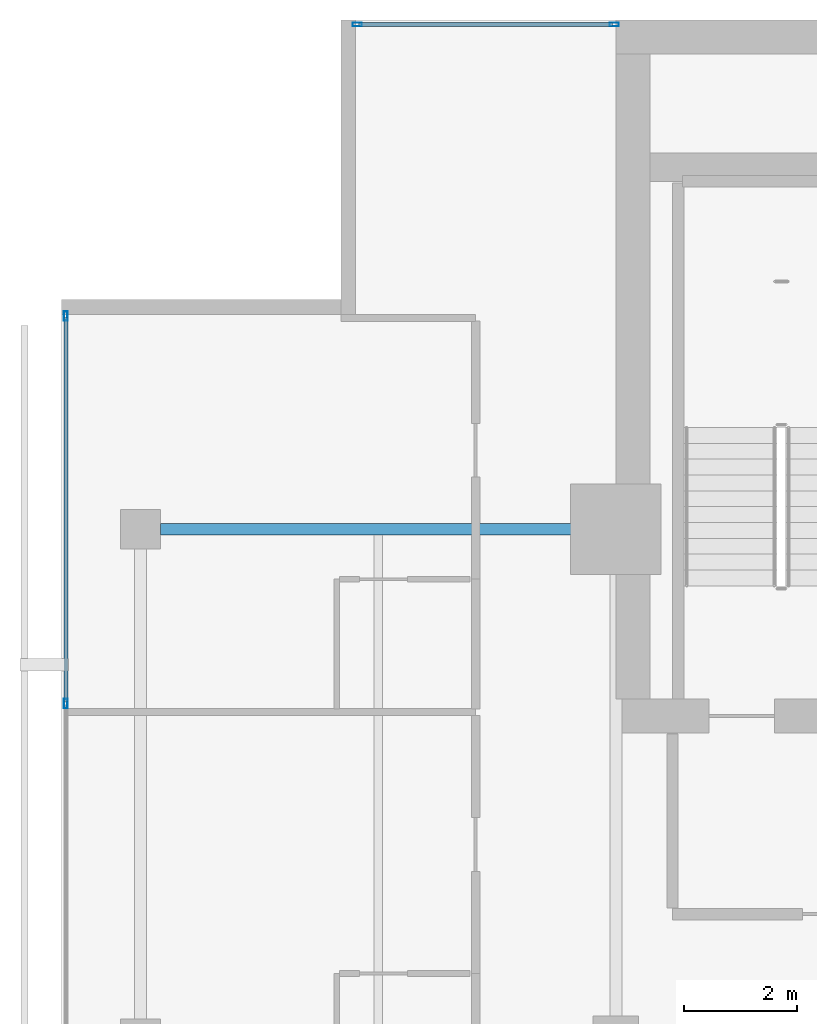
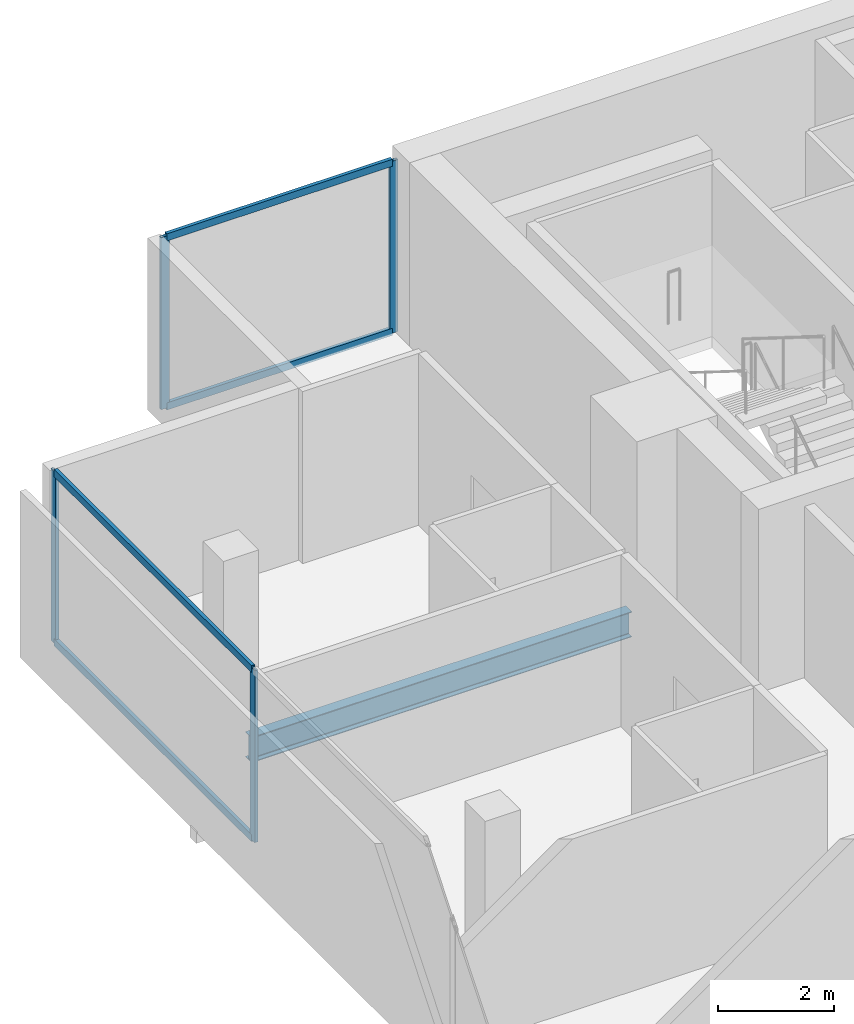
# One storey, part 16 of 25: 8 members, 1 beam, 2 elements without a shape of their own.
"""IFC4 building model written with IfcOpenShell, lengths in metres."""

from ifc_helpers import new_model, si_unit, direction, frame, origin, origin_2d, place, context, subcontext, project, spatial, hollow_rectangle, i_section, extrude, material, layer, layer_set, material_profile, profile_set, type_object, element, aggregate, save


model = new_model("IFC4")

# Units and contexts
model_context = context("Model", 3, precision=1e-05, world=origin(), true_north=direction((0.0, 1.0)))
body_context = subcontext(model_context, "Body", "Model", "MODEL_VIEW")
ifc_project = project(units=[si_unit("LENGTHUNIT", "METRE"), si_unit("AREAUNIT", "SQUARE_METRE"), si_unit("VOLUMEUNIT", "CUBIC_METRE"), si_unit("PLANEANGLEUNIT", "RADIAN"), si_unit("MASSUNIT", "GRAM", prefix="KILO")], contexts=[model_context])

# Site, building, storey
site_placement = place(None, origin())
site = spatial("IfcSite", under=ifc_project, at=site_placement, CompositionType="ELEMENT")
building_placement = place(site_placement, origin())
building = spatial("IfcBuilding", under=site, at=building_placement, Name="Maruvema Waterfront Hotel and Observation Tower", CompositionType="ELEMENT")
storey_placement = place(building_placement, frame((0.0, 0.0, 262.5)))
storey = spatial("IfcBuildingStorey", under=building, at=storey_placement, Name="L64", CompositionType="ELEMENT", Elevation=262.5)

# Curtain wall, members
ifc_material_1 = material(Name="Anodised bronze aluminium and solar-control low-E IGU", Category="aluminium")
ifc_layer = layer(ifc_material_1, 0.159912109375, Name="Zone 3 Champagne Inner Thermal Curtain Wall System CW-04")
ifc_layer_set = layer_set([ifc_layer], Name="Anodised bronze aluminium and solar-control low-E IGU")
curtain_wall_type = type_object("IfcCurtainWallType", Name="Zone 3 Champagne Inner Thermal Curtain Wall System CW-04", PredefinedType="USERDEFINED", material=ifc_layer_set)
curtain_wall_1_placement = place(storey_placement, origin())
curtain_wall_1 = element("IfcCurtainWall", 1, at=curtain_wall_1_placement, inside=storey, type_object=curtain_wall_type, Name="L64 Curtain Wall CW-L64-W", ObjectType="UNITISED CURTAIN WALL", PredefinedType="USERDEFINED")
ifc_material_2 = material(Name="Anodised architectural bronze aluminium", Category="aluminium")
ifc_material_profile_1 = material_profile(ifc_material_2, hollow_rectangle(XDim=0.070068359375, YDim=0.14990234375, WallThickness=0.00390625, at=origin_2d()), Name="ALU-T70x150")
ifc_profile_set_1 = profile_set([ifc_material_profile_1], Name="Anodised architectural bronze aluminium")
member_type_1 = type_object("IfcMemberType", Name="Curtain Wall Horizontal Transom ALU-T70x150", PredefinedType="USERDEFINED", material=ifc_profile_set_1)
member_1_placement = place(storey_placement, frame((15.47998046875, 48.739990234375, 0.030029296875), z_axis=(0.0, -1.0, 0.0), x_axis=(1.0, 0.0, 0.0)))
member_1 = element("IfcMember", 2, at=member_1_placement, type_object=member_type_1, Name="CW-04 transom 1.1", ObjectType="TRANSOM", PredefinedType="USERDEFINED", context=body_context, shape_type="SweptSolid", body=[
    extrude(hollow_rectangle(XDim=0.070068359375, YDim=0.14990234375, WallThickness=0.00390625, at=origin_2d()), origin(), (0.0, 0.0, 1.0), 6.7900390625),
])
member_2_placement = place(storey_placement, frame((15.47998046875, 48.739990234375, 3.580078125), z_axis=(0.0, -1.0, 0.0), x_axis=(1.0, 0.0, 0.0)))
member_2 = element("IfcMember", 3, at=member_2_placement, type_object=member_type_1, Name="CW-04 transom 1.2", ObjectType="TRANSOM", PredefinedType="USERDEFINED", context=body_context, shape_type="SweptSolid", body=[
    extrude(hollow_rectangle(XDim=0.070068359375, YDim=0.14990234375, WallThickness=0.00390625, at=origin_2d()), origin(), (0.0, 0.0, 1.0), 6.7900390625),
])

curtain_wall_2_placement = place(storey_placement, origin())
curtain_wall_2 = element("IfcCurtainWall", 4, at=curtain_wall_2_placement, inside=storey, type_object=curtain_wall_type, Name="L64 Curtain Wall CW-L64-NW", ObjectType="UNITISED CURTAIN WALL", PredefinedType="USERDEFINED")
member_3_placement = place(storey_placement, frame((25.139892578125, 53.919921875, 0.030029296875), z_axis=(-1.0, 0.0, 0.0), x_axis=(0.0, -1.0, 0.0)))
member_3 = element("IfcMember", 5, at=member_3_placement, type_object=member_type_1, Name="CW-04 transom 1.1", ObjectType="TRANSOM", PredefinedType="USERDEFINED", context=body_context, shape_type="SweptSolid", body=[
    extrude(hollow_rectangle(XDim=0.070068359375, YDim=0.14990234375, WallThickness=0.00390625, at=origin_2d()), origin(), (0.0, 0.0, 1.0), 4.47998046875),
])
member_4_placement = place(storey_placement, frame((25.139892578125, 53.919921875, 3.580078125), z_axis=(-1.0, 0.0, 0.0), x_axis=(0.0, -1.0, 0.0)))
member_4 = element("IfcMember", 6, at=member_4_placement, type_object=member_type_1, Name="CW-04 transom 1.2", ObjectType="TRANSOM", PredefinedType="USERDEFINED", context=body_context, shape_type="SweptSolid", body=[
    extrude(hollow_rectangle(XDim=0.070068359375, YDim=0.14990234375, WallThickness=0.00390625, at=origin_2d()), origin(), (0.0, 0.0, 1.0), 4.47998046875),
])

# Member
ifc_material_3 = material(Name="Anodised architectural bronze aluminium", Category="aluminium")
ifc_material_profile_2 = material_profile(ifc_material_3, hollow_rectangle(XDim=0.06494140625, YDim=0.1650390625, WallThickness=0.00390625, at=origin_2d()), Name="ALU-M65x165")
ifc_profile_set_2 = profile_set([ifc_material_profile_2], Name="Anodised architectural bronze aluminium")
member_type_2 = type_object("IfcMemberType", Name="Curtain Wall Primary Mullion ALU-M65x165", PredefinedType="MULLION", material=ifc_profile_set_2)
member_5_placement = place(storey_placement, frame((15.47998046875, 48.77001953125, 0.0), z_axis=(0.0, 0.0, 1.0), x_axis=(1.0, 0.0, 0.0)))
member_5 = element("IfcMember", 7, at=member_5_placement, type_object=member_type_2, Name="CW-04 mullion 1", PredefinedType="MULLION", context=body_context, shape_type="SweptSolid", body=[
    extrude(hollow_rectangle(XDim=0.06494140625, YDim=0.1650390625, WallThickness=0.00390625, at=origin_2d()), origin(), (0.0, 0.0, 1.0), 3.610107421875),
])

member_6_placement = place(storey_placement, frame((15.47998046875, 41.919921875, 0.0), z_axis=(0.0, 0.0, 1.0), x_axis=(1.0, 0.0, 0.0)))
member_6 = element("IfcMember", 8, at=member_6_placement, type_object=member_type_2, Name="CW-04 mullion 2", PredefinedType="MULLION", context=body_context, shape_type="SweptSolid", body=[
    extrude(hollow_rectangle(XDim=0.06494140625, YDim=0.1650390625, WallThickness=0.00390625, at=origin_2d()), origin(), (0.0, 0.0, 1.0), 3.610107421875),
])

aggregate(curtain_wall_1, [member_5, member_6, member_1, member_2])

member_7_placement = place(storey_placement, frame((25.169921875, 53.919921875, 0.0), z_axis=(0.0, 0.0, 1.0), x_axis=(0.0, -1.0, 0.0)))
member_7 = element("IfcMember", 9, at=member_7_placement, type_object=member_type_2, Name="CW-04 mullion 1", PredefinedType="MULLION", context=body_context, shape_type="SweptSolid", body=[
    extrude(hollow_rectangle(XDim=0.06494140625, YDim=0.1650390625, WallThickness=0.00390625, at=origin_2d()), origin(), (0.0, 0.0, 1.0), 3.610107421875),
])

member_8_placement = place(storey_placement, frame((20.6298828125, 53.919921875, 0.0), z_axis=(0.0, 0.0, 1.0), x_axis=(0.0, -1.0, 0.0)))
member_8 = element("IfcMember", 10, at=member_8_placement, type_object=member_type_2, Name="CW-04 mullion 2", PredefinedType="MULLION", context=body_context, shape_type="SweptSolid", body=[
    extrude(hollow_rectangle(XDim=0.06494140625, YDim=0.1650390625, WallThickness=0.00390625, at=origin_2d()), origin(), (0.0, 0.0, 1.0), 3.610107421875),
])

aggregate(curtain_wall_2, [member_7, member_8, member_3, member_4])

# Beam
ifc_material_4 = material(Name="Steel ASTM A572 Grade 50", Category="steel")
ifc_material_profile_3 = material_profile(ifc_material_4, i_section(OverallWidth=0.208984375, OverallDepth=0.532958984375, WebThickness=0.01025390625, FlangeThickness=0.015625, FilletRadius=0.014892578125, at=origin_2d()), Name="W530x92.0")
ifc_profile_set_3 = profile_set([ifc_material_profile_3], Name="Steel ASTM A572 Grade 50")
beam_type = type_object("IfcBeamType", Name="Primary Floor Girder W530x92.0", PredefinedType="BEAM", material=ifc_profile_set_3)
beam_placement = place(storey_placement, frame((17.14990234375, 45.0, -0.506591796875), z_axis=(1.0, 0.0, 0.0), x_axis=(0.0, 1.0, 0.0)))
element("IfcBeam", 11, at=beam_placement, inside=storey, type_object=beam_type, Name="L64 Floor Girder EW-17", PredefinedType="BEAM", context=body_context, shape_type="SweptSolid", body=[
    extrude(i_section(OverallWidth=0.208984375, OverallDepth=0.532958984375, WebThickness=0.01025390625, FlangeThickness=0.015625, FilletRadius=0.014892578125, at=origin_2d()), origin(), (0.0, 0.0, 1.0), 7.550048828125),
])

save(model, "model.ifc")
